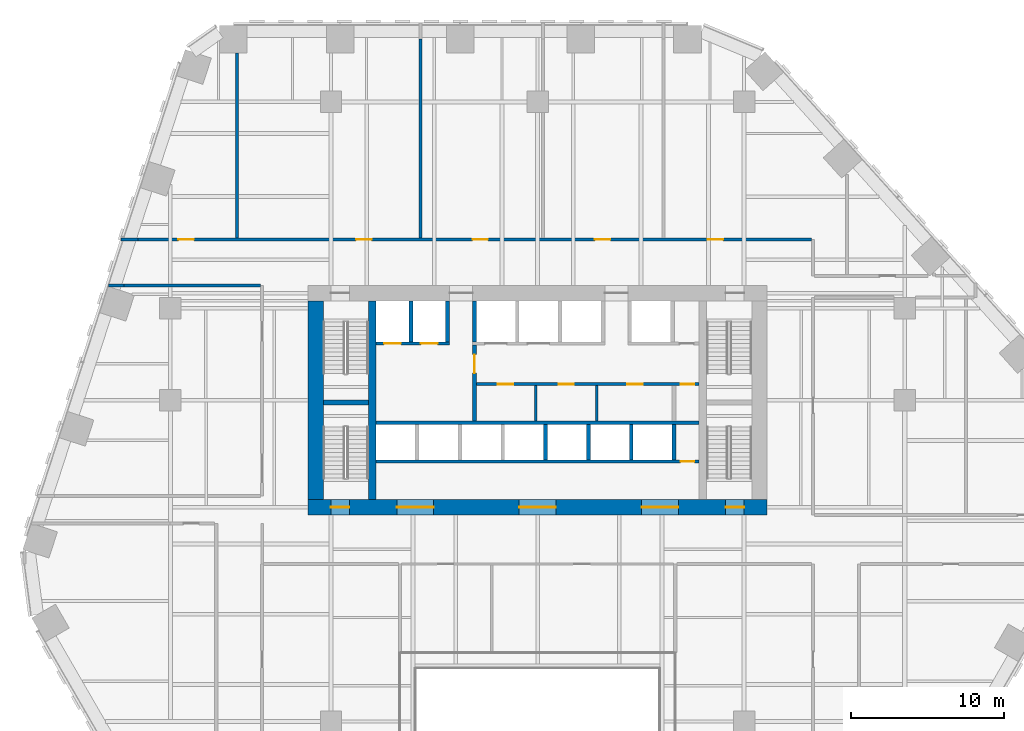
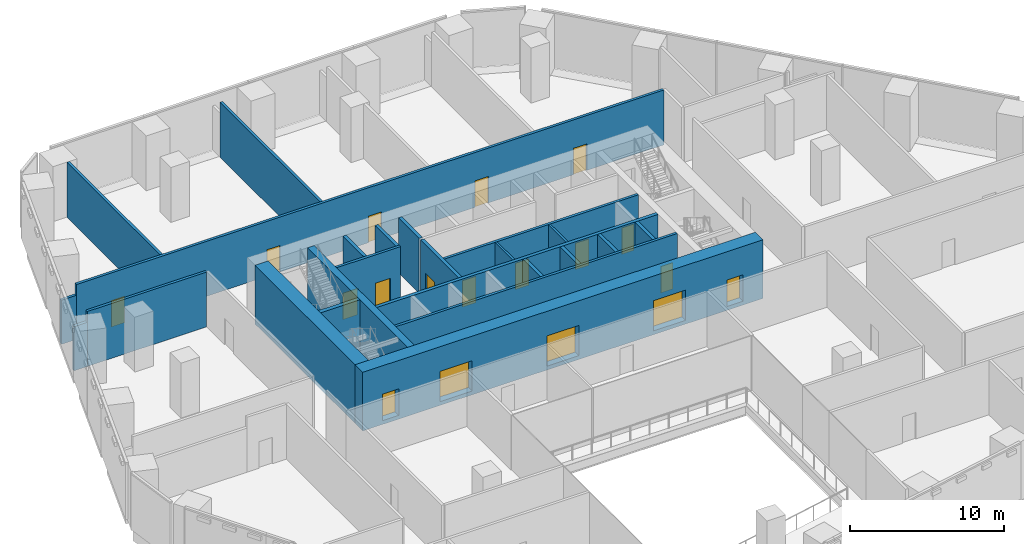
# One storey, part 15 of 19: 24 walls, 18 doors, 18 openings.
"""IFC4 building model written with IfcOpenShell, lengths in metres."""

import ifcopenshell
import ifcopenshell.guid

model = None  # the IFC model being written
_history = None  # IfcOwnerHistory: only IFC2X3 demands one
_inside = {}  # id of a spatial element -> (the spatial element, [elements in it])
_under = {}  # id of a project, library or spatial element -> (it, [spatial elements below it])
_declared = {}  # id of a project -> (the project, [libraries it declares])
_typed = {}  # id of a type object -> (the type object, [elements of that type])
_made_of = {}  # id of a material, layer set ... -> (it, [elements and type objects made of it])


def new_model(schema):
    """Start an empty IFC model of exactly this schema.

    Asked for "IFC4X3", IfcOpenShell would pick the latest addendum, in which some entities
    have other attributes; the version numbers below select the first issue.
    IFC2X3 requires an IfcOwnerHistory on every rooted entity: one is made here for all.
    """
    global model, _history
    if schema == "IFC4X3":
        model = ifcopenshell.file(schema_version=(4, 3, 0, 0))
    else:
        model = ifcopenshell.file(schema=schema)
    _inside.clear()
    _under.clear()
    _declared.clear()
    _typed.clear()
    _made_of.clear()
    _history = None
    if model.schema == "IFC2X3":
        org = make("IfcOrganization", Name="unknown")
        user = make(
            "IfcPersonAndOrganization",
            ThePerson=make("IfcPerson", FamilyName="unknown"),
            TheOrganization=org,
        )
        app = make(
            "IfcApplication",
            ApplicationDeveloper=org,
            Version="unknown",
            ApplicationFullName="unknown",
            ApplicationIdentifier="unknown",
        )
        _history = make(
            "IfcOwnerHistory",
            OwningUser=user,
            OwningApplication=app,
            ChangeAction="ADDED",
            CreationDate=0,
        )
    return model


def make(cls, **values):
    """One entity of the class cls with the attributes given. An attribute that is None is left unset."""
    return model.create_entity(
        cls, **{name: value for name, value in values.items() if value is not None}
    )


def rooted(cls, **values):
    """An entity with a GlobalId (a new one), such as an element, a storey or a relation."""
    return make(cls, GlobalId=ifcopenshell.guid.new(), OwnerHistory=_history, **values)


def si_unit(unit_type, name, prefix=None):
    """IfcSIUnit, for example si_unit("LENGTHUNIT", "METRE", prefix="MILLI")."""
    return make("IfcSIUnit", UnitType=unit_type, Prefix=prefix, Name=name)


def assignment(units):
    """IfcUnitAssignment: the units of a project."""
    return None if units is None else make("IfcUnitAssignment", Units=units)


def point(xyz):
    """IfcCartesianPoint."""
    return None if xyz is None else make("IfcCartesianPoint", Coordinates=xyz)


def direction(xyz):
    """IfcDirection."""
    return None if xyz is None else make("IfcDirection", DirectionRatios=xyz)


def frame(location, z_axis=None, x_axis=None):
    """IfcAxis2Placement3D, a coordinate frame: its origin and axes. An axis left out is left unset."""
    return make(
        "IfcAxis2Placement3D",
        Location=point(location),
        Axis=direction(z_axis),
        RefDirection=direction(x_axis),
    )


def frame_2d(location, x_axis=None):
    """IfcAxis2Placement2D, a coordinate frame in the plane: its origin and x axis."""
    return make(
        "IfcAxis2Placement2D", Location=point(location), RefDirection=direction(x_axis)
    )


def origin():
    """The frame at (0, 0, 0) with its axes left unset."""
    return frame((0.0, 0.0, 0.0))


def place(relative_to, where):
    """IfcLocalPlacement: puts the frame where relative to a parent placement (None: the world)."""
    return make(
        "IfcLocalPlacement", PlacementRelTo=relative_to, RelativePlacement=where
    )


def context(
    kind, dimensions, precision=None, world=None, true_north=None, identifier=None
):
    """IfcGeometricRepresentationContext, for example the 3D "Model" context."""
    return make(
        "IfcGeometricRepresentationContext",
        ContextIdentifier=identifier,
        ContextType=kind,
        CoordinateSpaceDimension=dimensions,
        Precision=precision,
        WorldCoordinateSystem=world,
        TrueNorth=true_north,
    )


def subcontext(parent, identifier, kind, view, scale=None):
    """IfcGeometricRepresentationSubContext, for example "Body" below "Model"."""
    return make(
        "IfcGeometricRepresentationSubContext",
        ContextIdentifier=identifier,
        ContextType=kind,
        ParentContext=parent,
        TargetScale=scale,
        TargetView=view,
    )


def project(units=None, contexts=None):
    """IfcProject with its units and contexts."""
    return rooted(
        "IfcProject",
        Name="project",
        RepresentationContexts=contexts,
        UnitsInContext=assignment(units),
    )


def spatial(cls, under=None, at=None, **own):
    """A site, building, storey or space (cls), placed at a placement, below another one or the project."""
    s = rooted(cls, ObjectPlacement=at, **own)
    if under is not None:
        _under.setdefault(under.id(), (under, []))[1].append(s)
    return s


def profile(cls, at=None, kind="AREA", **sizes):
    """A parametric profile (cls). Its sizes go by their IFC names, for example OverallWidth=200.0."""
    return make(cls, ProfileType=kind, Position=at, **sizes)


def rectangle(**sizes):
    """IfcRectangleProfileDef."""
    return profile("IfcRectangleProfileDef", **sizes)


def extrude(swept, where, along, depth):
    """IfcExtrudedAreaSolid: the profile swept, set in the frame where, extruded along a direction by depth."""
    return make(
        "IfcExtrudedAreaSolid",
        SweptArea=swept,
        Position=where,
        ExtrudedDirection=direction(along),
        Depth=depth,
    )


def shape(context_of_items, identifier, shape_type, items):
    """IfcShapeRepresentation: the items that make up one representation, for example the "Body"."""
    return make(
        "IfcShapeRepresentation",
        ContextOfItems=context_of_items,
        RepresentationIdentifier=identifier,
        RepresentationType=shape_type,
        Items=items,
    )


def material(Name=None, Category=None):
    """IfcMaterial."""
    return make("IfcMaterial", Name=Name, Category=Category)


def layer(
    of_material, thickness, ventilated=None, Name=None, Category=None, Priority=None
):
    """IfcMaterialLayer: one layer of a wall or slab, of a material (None: an air gap)."""
    return make(
        "IfcMaterialLayer",
        Material=of_material,
        LayerThickness=thickness,
        IsVentilated=ventilated,
        Name=Name,
        Category=Category,
        Priority=Priority,
    )


def layer_set(layers, Name=None):
    """IfcMaterialLayerSet."""
    return make("IfcMaterialLayerSet", MaterialLayers=layers, LayerSetName=Name)


def made_of(thing, what):
    """Note that an element or type object is made of a material, layer set ...; save() writes the relation."""
    if what is not None:
        _made_of.setdefault(what.id(), (what, []))[1].append(thing)
    return thing


def type_object(cls, material=None, **own):
    """A type object (cls), such as IfcWallType, which elements share."""
    return made_of(rooted(cls, **own), material)


def element(
    cls,
    number,
    at=None,
    inside=None,
    cuts=None,
    type_object=None,
    material=None,
    context=None,
    identifier="Body",
    shape_type=None,
    held_by="IfcProductDefinitionShape",
    body=None,
    shapes=None,
    **own,
):
    """One element of the class cls, such as IfcWall. Its Tag is "e" and its number.

    at: its placement. inside: the storey or other place that contains it. cuts: it is an
    opening in that element (IfcRelVoidsElement). A single representation is given by context,
    identifier, shape_type and body (its items); several are given by shapes. held_by: the class
    of the entity that holds the representations. save() writes the other relations.
    """
    e = rooted(cls, Tag="e%d" % number, ObjectPlacement=at, **own)
    if body is not None:
        shapes = [shape(context, identifier, shape_type, body)]
    if shapes is not None:
        e.Representation = make(held_by, Representations=shapes)
    if inside is not None:
        _inside.setdefault(inside.id(), (inside, []))[1].append(e)
    if cuts is not None:
        rooted(
            "IfcRelVoidsElement", RelatingBuildingElement=cuts, RelatedOpeningElement=e
        )
    if type_object is not None:
        _typed.setdefault(type_object.id(), (type_object, []))[1].append(e)
    return made_of(e, material)


def fill(opening, filler):
    """IfcRelFillsElement: the door or window that sits in an opening."""
    return rooted(
        "IfcRelFillsElement",
        RelatingOpeningElement=opening,
        RelatedBuildingElement=filler,
    )


def aggregate(whole, parts):
    """IfcRelAggregates: a whole, such as a stair, and the parts it consists of."""
    return rooted("IfcRelAggregates", RelatingObject=whole, RelatedObjects=parts)


def save(model, path):
    """Write the relations noted so far, then the file.

    IfcRelAggregates (storeys below a building ...), IfcRelContainedInSpatialStructure (elements
    in a storey), IfcRelDefinesByType, IfcRelAssociatesMaterial and IfcRelDeclares: one each for
    every whole, place, type object, material and project.
    """
    for whole, parts in _under.values():
        aggregate(whole, parts)
    for where, things in _inside.values():
        rooted(
            "IfcRelContainedInSpatialStructure",
            RelatedElements=things,
            RelatingStructure=where,
        )
    for kind, things in _typed.values():
        rooted("IfcRelDefinesByType", RelatedObjects=things, RelatingType=kind)
    for what, things in _made_of.values():
        rooted("IfcRelAssociatesMaterial", RelatedObjects=things, RelatingMaterial=what)
    for by, libraries in _declared.values():
        rooted("IfcRelDeclares", RelatingContext=by, RelatedDefinitions=libraries)
    model.write(path)


model = new_model("IFC4")

# Units and contexts
model_context = context("Model", 3, precision=1e-05, world=origin(), true_north=direction((0.0, 1.0)))
body_context = subcontext(model_context, "Body", "Model", "MODEL_VIEW")
ifc_project = project(units=[si_unit("LENGTHUNIT", "METRE"), si_unit("AREAUNIT", "SQUARE_METRE"), si_unit("VOLUMEUNIT", "CUBIC_METRE"), si_unit("PLANEANGLEUNIT", "RADIAN"), si_unit("MASSUNIT", "GRAM", prefix="KILO")], contexts=[model_context])

# Site, building, storey
site_placement = place(None, origin())
site = spatial("IfcSite", under=ifc_project, at=site_placement, CompositionType="ELEMENT")
building_placement = place(site_placement, origin())
building = spatial("IfcBuilding", under=site, at=building_placement, Name="Isthmus Gate Tower", CompositionType="ELEMENT")
storey_placement = place(building_placement, frame((0.0, 0.0, 76.14990234375)))
storey = spatial("IfcBuildingStorey", under=building, at=storey_placement, Name="L17", CompositionType="ELEMENT", Elevation=76.14990234375)

# Wall, opening, door
ifc_material_1 = material(Name="Fire-rated blockwork masonry, 15 MPa", Category="masonry")
ifc_layer_1 = layer(ifc_material_1, 0.25)
ifc_layer_set_1 = layer_set([ifc_layer_1], Name="FIRE-FIGHTING LOBBY WALL 250 90 MIN")
wall_type_1 = type_object("IfcWallType", Name="FIRE-FIGHTING LOBBY WALL 250 90 MIN", PredefinedType="PARTITIONING", material=ifc_layer_set_1)
wall_1_placement = place(storey_placement, frame((-4.125, 6.14990234375, 0.0), z_axis=(0.0, 0.0, 1.0), x_axis=(0.0, 1.0, 0.0)))
wall_1 = element("IfcWall", 1, at=wall_1_placement, inside=storey, type_object=wall_type_1, Name="L17 FIRE-FIGHTING LOBBY WALL 250 90 MIN", PredefinedType="PARTITIONING", context=body_context, shape_type="SweptSolid", body=[
    extrude(rectangle(XDim=4.9501953125, YDim=0.25, at=frame_2d((2.47509765625, 0.0))), origin(), (0.0, 0.0, 1.0), 4.35009765625),
])
opening_1_placement = place(wall_1_placement, frame((3.125, 0.0, 0.0)))
opening_1 = element("IfcOpeningElement", 2, at=opening_1_placement, cuts=wall_1, Name="Opening DC-A06-01", PredefinedType="OPENING", context=body_context, shape_type="SweptSolid", body=[
    extrude(rectangle(XDim=1.199951171875, YDim=2.10009765625, at=frame_2d((0.60009765625, 1.050048828125))), frame((0.0, 0.135009765625, 0.0), z_axis=(0.0, -1.0, 0.0), x_axis=(1.0, 0.0, 0.0)), (0.0, 0.0, 1.0), 0.27001953125),
])
ifc_material_2 = material(Name="Steel door leaf, fire-rated", Category="steel")
door_type_1 = type_object("IfcDoorType", Name="LOBBY FIRE DOOR 1200 X 2100 90 MIN", OperationType="DOUBLE_DOOR_SINGLE_SWING", PredefinedType="DOOR", material=ifc_material_2)
door_1_placement = place(opening_1_placement, origin())
door_1 = element("IfcDoor", 3, at=door_1_placement, inside=storey, type_object=door_type_1, Name="Fire-fighting Lobby Door", OperationType="SINGLE_SWING_LEFT", OverallHeight=2.10009765625, OverallWidth=1.199951171875, PredefinedType="DOOR", context=body_context, shape_type="SweptSolid", body=[
    extrude(rectangle(XDim=1.199951171875, YDim=2.10009765625, at=frame_2d((0.60009765625, 1.050048828125))), frame((0.0, 0.02490234375, 0.0), z_axis=(0.0, -1.0, 0.0), x_axis=(1.0, 0.0, 0.0)), (0.0, 0.0, 1.0), 0.050048828125),
])
fill(opening_1, door_1)

# Walls
ifc_material_3 = material(Name="Concrete f'c 30 MPa", Category="concrete")
ifc_layer_2 = layer(ifc_material_3, 0.199951171875)
ifc_layer_set_2 = layer_set([ifc_layer_2], Name="Fire-rated block wall 200")
wall_type_2 = type_object("IfcWallType", Name="Fire-rated block wall 200", PredefinedType="PARTITIONING", material=ifc_layer_set_2)
wall_2_placement = place(storey_placement, frame((-28.03759765625, 15.0, 0.0), z_axis=(0.0, 0.0, 1.0), x_axis=(1.0, 0.0, 0.0)))
element("IfcWall", 4, at=wall_2_placement, inside=storey, type_object=wall_type_2, Name="Fire-rated wall", PredefinedType="PARTITIONING", context=body_context, shape_type="SweptSolid", body=[
    extrude(rectangle(XDim=1.0, YDim=0.199951171875, at=frame_2d((0.5, 0.0))), origin(), (0.0, 0.0, 1.0), 3.5),
])
wall_3_placement = place(storey_placement, frame((-27.03759765625, 15.0, 0.0), z_axis=(0.0, 0.0, 1.0), x_axis=(1.0, 0.0, 0.0)))
element("IfcWall", 5, at=wall_3_placement, inside=storey, type_object=wall_type_2, Name="Fire-rated wall", PredefinedType="PARTITIONING", context=body_context, shape_type="SweptSolid", body=[
    extrude(rectangle(XDim=8.9375, YDim=0.199951171875, at=frame_2d((4.46875, 0.0))), origin(), (0.0, 0.0, 1.0), 4.35009765625),
])
wall_4_placement = place(storey_placement, frame((-27.23291015625, 18.0, 0.0), z_axis=(0.0, 0.0, 1.0), x_axis=(1.0, 0.0, 0.0)))
element("IfcWall", 6, at=wall_4_placement, inside=storey, type_object=wall_type_2, Name="Fire-rated wall", PredefinedType="PARTITIONING", context=body_context, shape_type="SweptSolid", body=[
    extrude(rectangle(XDim=1.1162109375, YDim=0.199951171875, at=frame_2d((0.55810546875, 0.0))), origin(), (0.0, 0.0, 1.0), 3.5),
])

# Wall, openings, doors
wall_5_placement = place(storey_placement, frame((-26.11669921875, 18.0, 0.0), z_axis=(0.0, 0.0, 1.0), x_axis=(1.0, 0.0, 0.0)))
wall_5 = element("IfcWall", 7, at=wall_5_placement, inside=storey, type_object=wall_type_2, Name="Fire-rated wall", PredefinedType="PARTITIONING", context=body_context, shape_type="SweptSolid", body=[
    extrude(rectangle(XDim=44.0166015625, YDim=0.199951171875, at=frame_2d((22.00830078125, 0.0))), origin(), (0.0, 0.0, 1.0), 4.35009765625),
])
opening_2_placement = place(wall_5_placement, frame((2.64990234375, 0.0, 0.0)))
opening_2 = element("IfcOpeningElement", 8, at=opening_2_placement, cuts=wall_5, Name="Opening DP17-03", PredefinedType="OPENING", context=body_context, shape_type="SweptSolid", body=[
    extrude(rectangle(XDim=1.0, YDim=2.10009765625, at=frame_2d((0.5, 1.050048828125))), frame((0.0, 0.10986328125, 0.0), z_axis=(0.0, -1.0, 0.0), x_axis=(1.0, 0.0, 0.0)), (0.0, 0.0, 1.0), 0.219970703125),
])
opening_3_placement = place(wall_5_placement, frame((14.2666015625, 0.0, 0.0)))
opening_3 = element("IfcOpeningElement", 9, at=opening_3_placement, cuts=wall_5, Name="Opening DP17-04", PredefinedType="OPENING", context=body_context, shape_type="SweptSolid", body=[
    extrude(rectangle(XDim=1.0, YDim=2.10009765625, at=frame_2d((0.5, 1.050048828125))), frame((0.0, 0.10986328125, 0.0), z_axis=(0.0, -1.0, 0.0), x_axis=(1.0, 0.0, 0.0)), (0.0, 0.0, 1.0), 0.219970703125),
])
opening_4_placement = place(wall_5_placement, frame((21.87060546875, 0.0, 0.0)))
opening_4 = element("IfcOpeningElement", 10, at=opening_4_placement, cuts=wall_5, Name="Opening DP17-05", PredefinedType="OPENING", context=body_context, shape_type="SweptSolid", body=[
    extrude(rectangle(XDim=1.0, YDim=2.10009765625, at=frame_2d((0.5, 1.050048828125))), frame((0.0, 0.10986328125, 0.0), z_axis=(0.0, -1.0, 0.0), x_axis=(1.0, 0.0, 0.0)), (0.0, 0.0, 1.0), 0.219970703125),
])
opening_5_placement = place(wall_5_placement, frame((29.87060546875, 0.0, 0.0)))
opening_5 = element("IfcOpeningElement", 11, at=opening_5_placement, cuts=wall_5, Name="Opening DP17-06", PredefinedType="OPENING", context=body_context, shape_type="SweptSolid", body=[
    extrude(rectangle(XDim=1.0, YDim=2.10009765625, at=frame_2d((0.5, 1.050048828125))), frame((0.0, 0.10986328125, 0.0), z_axis=(0.0, -1.0, 0.0), x_axis=(1.0, 0.0, 0.0)), (0.0, 0.0, 1.0), 0.219970703125),
])
opening_6_placement = place(wall_5_placement, frame((37.244140625, 0.0, 0.0)))
opening_6 = element("IfcOpeningElement", 12, at=opening_6_placement, cuts=wall_5, Name="Opening DP17-07", PredefinedType="OPENING", context=body_context, shape_type="SweptSolid", body=[
    extrude(rectangle(XDim=1.0, YDim=2.10009765625, at=frame_2d((0.5, 1.050048828125))), frame((0.0, 0.10986328125, 0.0), z_axis=(0.0, -1.0, 0.0), x_axis=(1.0, 0.0, 0.0)), (0.0, 0.0, 1.0), 0.219970703125),
])
ifc_material_4 = material(Name="Steel fire door with intumescent seals", Category="steel")
door_type_2 = type_object("IfcDoorType", Name="Fire door 1000 x 2100", OperationType="SINGLE_SWING_LEFT", PredefinedType="DOOR", material=ifc_material_4)
door_2_placement = place(opening_2_placement, origin())
door_2 = element("IfcDoor", 13, at=door_2_placement, inside=storey, type_object=door_type_2, Name="Door DP17-03", OperationType="SINGLE_SWING_LEFT", OverallHeight=2.10009765625, OverallWidth=1.0, PredefinedType="DOOR", context=body_context, shape_type="SweptSolid", body=[
    extrude(rectangle(XDim=1.0, YDim=2.10009765625, at=frame_2d((0.5, 1.050048828125))), frame((0.0, 0.02490234375, 0.0), z_axis=(0.0, -1.0, 0.0), x_axis=(1.0, 0.0, 0.0)), (0.0, 0.0, 1.0), 0.050048828125),
])
fill(opening_2, door_2)
door_3_placement = place(opening_3_placement, origin())
door_3 = element("IfcDoor", 14, at=door_3_placement, inside=storey, type_object=door_type_2, Name="Door DP17-04", OperationType="SINGLE_SWING_LEFT", OverallHeight=2.10009765625, OverallWidth=1.0, PredefinedType="DOOR", context=body_context, shape_type="SweptSolid", body=[
    extrude(rectangle(XDim=1.0, YDim=2.10009765625, at=frame_2d((0.5, 1.050048828125))), frame((0.0, 0.02490234375, 0.0), z_axis=(0.0, -1.0, 0.0), x_axis=(1.0, 0.0, 0.0)), (0.0, 0.0, 1.0), 0.050048828125),
])
fill(opening_3, door_3)
door_4_placement = place(opening_4_placement, origin())
door_4 = element("IfcDoor", 15, at=door_4_placement, inside=storey, type_object=door_type_2, Name="Door DP17-05", OperationType="SINGLE_SWING_LEFT", OverallHeight=2.10009765625, OverallWidth=1.0, PredefinedType="DOOR", context=body_context, shape_type="SweptSolid", body=[
    extrude(rectangle(XDim=1.0, YDim=2.10009765625, at=frame_2d((0.5, 1.050048828125))), frame((0.0, 0.02490234375, 0.0), z_axis=(0.0, -1.0, 0.0), x_axis=(1.0, 0.0, 0.0)), (0.0, 0.0, 1.0), 0.050048828125),
])
fill(opening_4, door_4)
door_5_placement = place(opening_5_placement, origin())
door_5 = element("IfcDoor", 16, at=door_5_placement, inside=storey, type_object=door_type_2, Name="Door DP17-06", OperationType="SINGLE_SWING_LEFT", OverallHeight=2.10009765625, OverallWidth=1.0, PredefinedType="DOOR", context=body_context, shape_type="SweptSolid", body=[
    extrude(rectangle(XDim=1.0, YDim=2.10009765625, at=frame_2d((0.5, 1.050048828125))), frame((0.0, 0.02490234375, 0.0), z_axis=(0.0, -1.0, 0.0), x_axis=(1.0, 0.0, 0.0)), (0.0, 0.0, 1.0), 0.050048828125),
])
fill(opening_5, door_5)
door_6_placement = place(opening_6_placement, origin())
door_6 = element("IfcDoor", 17, at=door_6_placement, inside=storey, type_object=door_type_2, Name="Door DP17-07", OperationType="SINGLE_SWING_LEFT", OverallHeight=2.10009765625, OverallWidth=1.0, PredefinedType="DOOR", context=body_context, shape_type="SweptSolid", body=[
    extrude(rectangle(XDim=1.0, YDim=2.10009765625, at=frame_2d((0.5, 1.050048828125))), frame((0.0, 0.02490234375, 0.0), z_axis=(0.0, -1.0, 0.0), x_axis=(1.0, 0.0, 0.0)), (0.0, 0.0, 1.0), 0.050048828125),
])
fill(opening_6, door_6)

# Walls
wall_6_placement = place(storey_placement, frame((-19.64599609375, 18.10009765625, 0.0), z_axis=(0.0, 0.0, 1.0), x_axis=(0.0, 1.0, 0.0)))
element("IfcWall", 18, at=wall_6_placement, inside=storey, type_object=wall_type_2, Name="Fire-rated wall", PredefinedType="PARTITIONING", context=body_context, shape_type="SweptSolid", body=[
    extrude(rectangle(XDim=12.099853515625, YDim=0.199951171875, at=frame_2d((6.0498046875, 0.0))), origin(), (0.0, 0.0, 1.0), 4.35009765625),
])
wall_7_placement = place(storey_placement, frame((-7.64599609375, 18.10009765625, 0.0), z_axis=(0.0, 0.0, 1.0), x_axis=(0.0, 1.0, 0.0)))
element("IfcWall", 19, at=wall_7_placement, inside=storey, type_object=wall_type_2, Name="Fire-rated wall", PredefinedType="PARTITIONING", context=body_context, shape_type="SweptSolid", body=[
    extrude(rectangle(XDim=13.0, YDim=0.199951171875, at=frame_2d((6.5, 0.0))), origin(), (0.0, 0.0, 1.0), 4.35009765625),
])
ifc_material_5 = material(Name="Concrete f'c 70 MPa", Category="concrete")
ifc_layer_3 = layer(ifc_material_5, 0.5)
ifc_layer_set_3 = layer_set([ifc_layer_3], Name="RC CORE SPINE WALL 500 F'C 70")
wall_type_3 = type_object("IfcWallType", Name="RC CORE SPINE WALL 500 F'C 70", PredefinedType="SOLIDWALL", material=ifc_layer_set_3)
wall_8_placement = place(storey_placement, frame((-10.800048828125, 1.0, -0.2998046875), z_axis=(0.0, 0.0, 1.0), x_axis=(0.0, 1.0, 0.0)))
element("IfcWall", 20, at=wall_8_placement, inside=storey, type_object=wall_type_3, Name="str-corewall-L17-SPW", PredefinedType="SOLIDWALL", context=body_context, shape_type="SweptSolid", body=[
    extrude(rectangle(XDim=13.0, YDim=0.5, at=frame_2d((6.5, 0.0))), origin(), (0.0, 0.0, 1.0), 4.64990234375),
])

# Wall, openings, doors
ifc_material_6 = material(Name="Concrete f'c 70 MPa", Category="concrete")
ifc_layer_4 = layer(ifc_material_6, 1.0)
ifc_layer_set_4 = layer_set([ifc_layer_4], Name="RC CORE WALL 1000 F'C 70")
wall_type_4 = type_object("IfcWallType", Name="RC CORE WALL 1000 F'C 70", PredefinedType="SOLIDWALL", material=ifc_layer_set_4)
wall_9_placement = place(storey_placement, frame((-15.0, 0.5, -0.2998046875), z_axis=(0.0, 0.0, 1.0), x_axis=(1.0, 0.0, 0.0)))
wall_9 = element("IfcWall", 21, at=wall_9_placement, inside=storey, type_object=wall_type_4, Name="str-corewall-L17-S", PredefinedType="SOLIDWALL", context=body_context, shape_type="SweptSolid", body=[
    extrude(rectangle(XDim=30.0, YDim=1.0, at=frame_2d((15.0, 0.0))), origin(), (0.0, 0.0, 1.0), 4.64990234375),
])
opening_7_placement = place(wall_9_placement, frame((5.800048828125, 0.0, 0.300048828125)))
opening_7 = element("IfcOpeningElement", 22, at=opening_7_placement, cuts=wall_9, Name="Opening DC-A06-08", PredefinedType="OPENING", context=body_context, shape_type="SweptSolid", body=[
    extrude(rectangle(XDim=2.39990234375, YDim=2.39990234375, at=frame_2d((1.199951171875, 1.199951171875))), frame((0.0, 0.510009765625, 0.0), z_axis=(0.0, -1.0, 0.0), x_axis=(1.0, 0.0, 0.0)), (0.0, 0.0, 1.0), 1.02001953125),
])
opening_8_placement = place(wall_9_placement, frame((13.800048828125, 0.0, 0.300048828125)))
opening_8 = element("IfcOpeningElement", 23, at=opening_8_placement, cuts=wall_9, Name="Opening DC-A06-09", PredefinedType="OPENING", context=body_context, shape_type="SweptSolid", body=[
    extrude(rectangle(XDim=2.39990234375, YDim=2.39990234375, at=frame_2d((1.199951171875, 1.199951171875))), frame((0.0, 0.510009765625, 0.0), z_axis=(0.0, -1.0, 0.0), x_axis=(1.0, 0.0, 0.0)), (0.0, 0.0, 1.0), 1.02001953125),
])
opening_9_placement = place(wall_9_placement, frame((21.800048828125, 0.0, 0.300048828125)))
opening_9 = element("IfcOpeningElement", 24, at=opening_9_placement, cuts=wall_9, Name="Opening DC-A06-10", PredefinedType="OPENING", context=body_context, shape_type="SweptSolid", body=[
    extrude(rectangle(XDim=2.39990234375, YDim=2.39990234375, at=frame_2d((1.199951171875, 1.199951171875))), frame((0.0, 0.510009765625, 0.0), z_axis=(0.0, -1.0, 0.0), x_axis=(1.0, 0.0, 0.0)), (0.0, 0.0, 1.0), 1.02001953125),
])
opening_10_placement = place(wall_9_placement, frame((1.5, 0.0, 0.300048828125)))
opening_10 = element("IfcOpeningElement", 25, at=opening_10_placement, cuts=wall_9, Name="Opening DC-A06-15", PredefinedType="OPENING", context=body_context, shape_type="SweptSolid", body=[
    extrude(rectangle(XDim=1.199951171875, YDim=2.10009765625, at=frame_2d((0.60009765625, 1.050048828125))), frame((0.0, 0.510009765625, 0.0), z_axis=(0.0, -1.0, 0.0), x_axis=(1.0, 0.0, 0.0)), (0.0, 0.0, 1.0), 1.02001953125),
])
opening_11_placement = place(wall_9_placement, frame((27.300048828125, 0.0, 0.300048828125)))
opening_11 = element("IfcOpeningElement", 26, at=opening_11_placement, cuts=wall_9, Name="Opening DC-A06-16", PredefinedType="OPENING", context=body_context, shape_type="SweptSolid", body=[
    extrude(rectangle(XDim=1.199951171875, YDim=2.10009765625, at=frame_2d((0.60009765625, 1.050048828125))), frame((0.0, 0.510009765625, 0.0), z_axis=(0.0, -1.0, 0.0), x_axis=(1.0, 0.0, 0.0)), (0.0, 0.0, 1.0), 1.02001953125),
])
ifc_material_7 = material(Name="Laminated safety glass in steel frame, fire-rated", Category="steel")
door_type_3 = type_object("IfcDoorType", Name="LOBBY ENTRANCE FIRE DOOR 2400 X 2400 60 MIN", OperationType="DOUBLE_DOOR_DOUBLE_SWING", PredefinedType="DOOR", material=ifc_material_7)
door_7_placement = place(opening_7_placement, origin())
door_7 = element("IfcDoor", 27, at=door_7_placement, inside=storey, type_object=door_type_3, Name="Lobby Entrance PS-W", OperationType="DOUBLE_DOOR_DOUBLE_SWING", OverallHeight=2.39990234375, OverallWidth=2.39990234375, PredefinedType="DOOR", context=body_context, shape_type="SweptSolid", body=[
    extrude(rectangle(XDim=2.39990234375, YDim=2.39990234375, at=frame_2d((1.199951171875, 1.199951171875))), frame((0.0, 0.02490234375, 0.0), z_axis=(0.0, -1.0, 0.0), x_axis=(1.0, 0.0, 0.0)), (0.0, 0.0, 1.0), 0.050048828125),
])
fill(opening_7, door_7)
door_8_placement = place(opening_8_placement, origin())
door_8 = element("IfcDoor", 28, at=door_8_placement, inside=storey, type_object=door_type_3, Name="Lobby Entrance PS-C", OperationType="DOUBLE_DOOR_DOUBLE_SWING", OverallHeight=2.39990234375, OverallWidth=2.39990234375, PredefinedType="DOOR", context=body_context, shape_type="SweptSolid", body=[
    extrude(rectangle(XDim=2.39990234375, YDim=2.39990234375, at=frame_2d((1.199951171875, 1.199951171875))), frame((0.0, 0.02490234375, 0.0), z_axis=(0.0, -1.0, 0.0), x_axis=(1.0, 0.0, 0.0)), (0.0, 0.0, 1.0), 0.050048828125),
])
fill(opening_8, door_8)
door_9_placement = place(opening_9_placement, origin())
door_9 = element("IfcDoor", 29, at=door_9_placement, inside=storey, type_object=door_type_3, Name="Lobby Entrance PS-E", OperationType="DOUBLE_DOOR_DOUBLE_SWING", OverallHeight=2.39990234375, OverallWidth=2.39990234375, PredefinedType="DOOR", context=body_context, shape_type="SweptSolid", body=[
    extrude(rectangle(XDim=2.39990234375, YDim=2.39990234375, at=frame_2d((1.199951171875, 1.199951171875))), frame((0.0, 0.02490234375, 0.0), z_axis=(0.0, -1.0, 0.0), x_axis=(1.0, 0.0, 0.0)), (0.0, 0.0, 1.0), 0.050048828125),
])
fill(opening_9, door_9)
ifc_material_8 = material(Name="Steel door leaf, fire-rated", Category="steel")
door_type_4 = type_object("IfcDoorType", Name="STAIR FIRE DOOR 1200 X 2100 90 MIN", OperationType="SINGLE_SWING_LEFT", PredefinedType="DOOR", material=ifc_material_8)
door_10_placement = place(opening_10_placement, origin())
door_10 = element("IfcDoor", 30, at=door_10_placement, inside=storey, type_object=door_type_4, Name="Exit Stair 7 Door", OperationType="SINGLE_SWING_LEFT", OverallHeight=2.10009765625, OverallWidth=1.199951171875, PredefinedType="DOOR", context=body_context, shape_type="SweptSolid", body=[
    extrude(rectangle(XDim=1.199951171875, YDim=2.10009765625, at=frame_2d((0.60009765625, 1.050048828125))), frame((0.0, 0.02490234375, 0.0), z_axis=(0.0, -1.0, 0.0), x_axis=(1.0, 0.0, 0.0)), (0.0, 0.0, 1.0), 0.050048828125),
])
fill(opening_10, door_10)
door_11_placement = place(opening_11_placement, origin())
door_11 = element("IfcDoor", 31, at=door_11_placement, inside=storey, type_object=door_type_4, Name="Exit Stair 8 Door", OperationType="SINGLE_SWING_RIGHT", OverallHeight=2.10009765625, OverallWidth=1.199951171875, PredefinedType="DOOR", context=body_context, shape_type="SweptSolid", body=[
    extrude(rectangle(XDim=1.199951171875, YDim=2.10009765625, at=frame_2d((0.60009765625, 1.050048828125))), frame((0.0, 0.02490234375, 0.0), z_axis=(0.0, -1.0, 0.0), x_axis=(1.0, 0.0, 0.0)), (0.0, 0.0, 1.0), 0.050048828125),
])
fill(opening_11, door_11)

# Walls
wall_10_placement = place(storey_placement, frame((-14.5, 1.0, -0.2998046875), z_axis=(0.0, 0.0, 1.0), x_axis=(0.0, 1.0, 0.0)))
element("IfcWall", 32, at=wall_10_placement, inside=storey, type_object=wall_type_4, Name="str-corewall-L17-W", PredefinedType="SOLIDWALL", context=body_context, shape_type="SweptSolid", body=[
    extrude(rectangle(XDim=13.0, YDim=1.0, at=frame_2d((6.5, 0.0))), origin(), (0.0, 0.0, 1.0), 4.64990234375),
])
ifc_material_9 = material(Name="Gypsum board on steel studs, fire-rated", Category="steel")
ifc_layer_5 = layer(ifc_material_9, 0.14990234375)
ifc_layer_set_5 = layer_set([ifc_layer_5], Name="ROOM PARTITION 150 60 MIN")
wall_type_5 = type_object("IfcWallType", Name="ROOM PARTITION 150 60 MIN", PredefinedType="PARTITIONING", material=ifc_layer_set_5)
for number, where, z_axis, x_axis, name in (
    (33, (-0.125, 6.14990234375, 0.0), (0.0, 0.0, 1.0), (0.0, 1.0, 0.0), "L17 ROOM PARTITION 150 60 MIN"),
    (34, (3.875, 6.14990234375, 0.0), (0.0, 0.0, 1.0), (0.0, 1.0, 0.0), "L17 ROOM PARTITION 150 60 MIN"),
):
    element("IfcWall", number, at=place(storey_placement, frame(where, z_axis=z_axis, x_axis=x_axis)), inside=storey, type_object=wall_type_5, Name=name, PredefinedType="PARTITIONING", context=body_context, shape_type="SweptSolid", body=[
        extrude(rectangle(XDim=2.300048828125, YDim=0.14990234375, at=frame_2d((1.14990234375, 0.0))), origin(), (0.0, 0.0, 1.0), 4.35009765625),
    ])

# Wall, opening, door
ifc_material_10 = material(Name="Fire-rated blockwork masonry, 15 MPa", Category="masonry")
ifc_layer_6 = layer(ifc_material_10, 0.199951171875)
ifc_layer_set_6 = layer_set([ifc_layer_6], Name="SHAFT FRONT WALL 200 120 MIN")
wall_type_6 = type_object("IfcWallType", Name="SHAFT FRONT WALL 200 120 MIN", PredefinedType="PARTITIONING", material=ifc_layer_set_6)
wall_11_placement = place(storey_placement, frame((-10.550048828125, 3.5, 0.0), z_axis=(0.0, 0.0, 1.0), x_axis=(1.0, 0.0, 0.0)))
wall_11 = element("IfcWall", 35, at=wall_11_placement, inside=storey, type_object=wall_type_6, Name="L17 SHAFT FRONT WALL 200 120 MIN", PredefinedType="PARTITIONING", context=body_context, shape_type="SweptSolid", body=[
    extrude(rectangle(XDim=21.10009765625, YDim=0.199951171875, at=frame_2d((10.550048828125, 0.0))), origin(), (0.0, 0.0, 1.0), 4.35009765625),
])
opening_12_placement = place(wall_11_placement, frame((19.89990234375, 0.0, 0.0)))
opening_12 = element("IfcOpeningElement", 36, at=opening_12_placement, cuts=wall_11, Name="Opening DC-A06-02", PredefinedType="OPENING", context=body_context, shape_type="SweptSolid", body=[
    extrude(rectangle(XDim=0.89990234375, YDim=2.10009765625, at=frame_2d((0.449951171875, 1.050048828125))), frame((0.0, 0.10986328125, 0.0), z_axis=(0.0, -1.0, 0.0), x_axis=(1.0, 0.0, 0.0)), (0.0, 0.0, 1.0), 0.219970703125),
])
ifc_material_11 = material(Name="Steel door leaf, fire-rated", Category="steel")
door_type_5 = type_object("IfcDoorType", Name="RISER FIRE DOOR 900 X 2100 90 MIN", OperationType="SINGLE_SWING_LEFT", PredefinedType="DOOR", material=ifc_material_11)
door_12_placement = place(opening_12_placement, origin())
door_12 = element("IfcDoor", 37, at=door_12_placement, inside=storey, type_object=door_type_5, Name="Riser Door", OperationType="SINGLE_SWING_RIGHT", OverallHeight=2.10009765625, OverallWidth=0.89990234375, PredefinedType="DOOR", context=body_context, shape_type="SweptSolid", body=[
    extrude(rectangle(XDim=0.89990234375, YDim=2.10009765625, at=frame_2d((0.449951171875, 1.050048828125))), frame((0.0, 0.02490234375, 0.0), z_axis=(0.0, -1.0, 0.0), x_axis=(1.0, 0.0, 0.0)), (0.0, 0.0, 1.0), 0.050048828125),
])
fill(opening_12, door_12)

# Wall, openings, doors
wall_12_placement = place(storey_placement, frame((-4.125, 8.550048828125, 0.0), z_axis=(0.0, 0.0, 1.0), x_axis=(1.0, 0.0, 0.0)))
wall_12 = element("IfcWall", 38, at=wall_12_placement, inside=storey, type_object=wall_type_6, Name="L17 SHAFT FRONT WALL 200 120 MIN", PredefinedType="PARTITIONING", context=body_context, shape_type="SweptSolid", body=[
    extrude(rectangle(XDim=14.675048828125, YDim=0.199951171875, at=frame_2d((7.33740234375, 0.0))), origin(), (0.0, 0.0, 1.0), 4.35009765625),
])
opening_13_placement = place(wall_12_placement, frame((1.52490234375, 0.0, 0.0)))
opening_13 = element("IfcOpeningElement", 39, at=opening_13_placement, cuts=wall_12, Name="Opening DC-A06-03", PredefinedType="OPENING", context=body_context, shape_type="SweptSolid", body=[
    extrude(rectangle(XDim=1.0, YDim=2.10009765625, at=frame_2d((0.5, 1.050048828125))), frame((0.0, 0.10986328125, 0.0), z_axis=(0.0, -1.0, 0.0), x_axis=(1.0, 0.0, 0.0)), (0.0, 0.0, 1.0), 0.219970703125),
])
opening_14_placement = place(wall_12_placement, frame((5.5, 0.0, 0.0)))
opening_14 = element("IfcOpeningElement", 40, at=opening_14_placement, cuts=wall_12, Name="Opening DC-A06-04", PredefinedType="OPENING", context=body_context, shape_type="SweptSolid", body=[
    extrude(rectangle(XDim=1.0, YDim=2.10009765625, at=frame_2d((0.5, 1.050048828125))), frame((0.0, 0.10986328125, 0.0), z_axis=(0.0, -1.0, 0.0), x_axis=(1.0, 0.0, 0.0)), (0.0, 0.0, 1.0), 0.219970703125),
])
opening_15_placement = place(wall_12_placement, frame((10.0, 0.0, 0.0)))
opening_15 = element("IfcOpeningElement", 41, at=opening_15_placement, cuts=wall_12, Name="Opening DC-A06-05", PredefinedType="OPENING", context=body_context, shape_type="SweptSolid", body=[
    extrude(rectangle(XDim=1.0, YDim=2.10009765625, at=frame_2d((0.5, 1.050048828125))), frame((0.0, 0.10986328125, 0.0), z_axis=(0.0, -1.0, 0.0), x_axis=(1.0, 0.0, 0.0)), (0.0, 0.0, 1.0), 0.219970703125),
])
opening_16_placement = place(wall_12_placement, frame((13.47509765625, 0.0, 0.0)))
opening_16 = element("IfcOpeningElement", 42, at=opening_16_placement, cuts=wall_12, Name="Opening DC-A06-06", PredefinedType="OPENING", context=body_context, shape_type="SweptSolid", body=[
    extrude(rectangle(XDim=0.89990234375, YDim=2.10009765625, at=frame_2d((0.449951171875, 1.050048828125))), frame((0.0, 0.10986328125, 0.0), z_axis=(0.0, -1.0, 0.0), x_axis=(1.0, 0.0, 0.0)), (0.0, 0.0, 1.0), 0.219970703125),
])
ifc_material_12 = material(Name="Steel door leaf, fire-rated", Category="steel")
door_type_6 = type_object("IfcDoorType", Name="FIRE DOOR 1000 X 2100 60 MIN", OperationType="SINGLE_SWING_LEFT", PredefinedType="DOOR", material=ifc_material_12)
door_13_placement = place(opening_13_placement, origin())
door_13 = element("IfcDoor", 43, at=door_13_placement, inside=storey, type_object=door_type_6, Name="Pump Room Door", OperationType="SINGLE_SWING_LEFT", OverallHeight=2.10009765625, OverallWidth=1.0, PredefinedType="DOOR", context=body_context, shape_type="SweptSolid", body=[
    extrude(rectangle(XDim=1.0, YDim=2.10009765625, at=frame_2d((0.5, 1.050048828125))), frame((0.0, 0.02490234375, 0.0), z_axis=(0.0, -1.0, 0.0), x_axis=(1.0, 0.0, 0.0)), (0.0, 0.0, 1.0), 0.050048828125),
])
fill(opening_13, door_13)
door_14_placement = place(opening_14_placement, origin())
door_14 = element("IfcDoor", 44, at=door_14_placement, inside=storey, type_object=door_type_6, Name="Electrical Room Door", OperationType="SINGLE_SWING_RIGHT", OverallHeight=2.10009765625, OverallWidth=1.0, PredefinedType="DOOR", context=body_context, shape_type="SweptSolid", body=[
    extrude(rectangle(XDim=1.0, YDim=2.10009765625, at=frame_2d((0.5, 1.050048828125))), frame((0.0, 0.02490234375, 0.0), z_axis=(0.0, -1.0, 0.0), x_axis=(1.0, 0.0, 0.0)), (0.0, 0.0, 1.0), 0.050048828125),
])
fill(opening_14, door_14)
door_15_placement = place(opening_15_placement, origin())
door_15 = element("IfcDoor", 45, at=door_15_placement, inside=storey, type_object=door_type_6, Name="Valve Room Door", OperationType="SINGLE_SWING_LEFT", OverallHeight=2.10009765625, OverallWidth=1.0, PredefinedType="DOOR", context=body_context, shape_type="SweptSolid", body=[
    extrude(rectangle(XDim=1.0, YDim=2.10009765625, at=frame_2d((0.5, 1.050048828125))), frame((0.0, 0.02490234375, 0.0), z_axis=(0.0, -1.0, 0.0), x_axis=(1.0, 0.0, 0.0)), (0.0, 0.0, 1.0), 0.050048828125),
])
fill(opening_15, door_15)
door_16_placement = place(opening_16_placement, origin())
door_16 = element("IfcDoor", 46, at=door_16_placement, inside=storey, type_object=door_type_5, Name="Riser Door", OperationType="SINGLE_SWING_RIGHT", OverallHeight=2.10009765625, OverallWidth=0.89990234375, PredefinedType="DOOR", context=body_context, shape_type="SweptSolid", body=[
    extrude(rectangle(XDim=0.89990234375, YDim=2.10009765625, at=frame_2d((0.449951171875, 1.050048828125))), frame((0.0, 0.02490234375, 0.0), z_axis=(0.0, -1.0, 0.0), x_axis=(1.0, 0.0, 0.0)), (0.0, 0.0, 1.0), 0.050048828125),
])
fill(opening_16, door_16)

wall_13_placement = place(storey_placement, frame((-10.550048828125, 11.199951171875, 0.0), z_axis=(0.0, 0.0, 1.0), x_axis=(1.0, 0.0, 0.0)))
wall_13 = element("IfcWall", 47, at=wall_13_placement, inside=storey, type_object=wall_type_6, Name="L17 SHAFT FRONT WALL 200 120 MIN", PredefinedType="PARTITIONING", context=body_context, shape_type="SweptSolid", body=[
    extrude(rectangle(XDim=4.800048828125, YDim=0.199951171875, at=frame_2d((2.39990234375, 0.0))), origin(), (0.0, 0.0, 1.0), 4.35009765625),
])
opening_17_placement = place(wall_13_placement, frame((0.52490234375, 0.0, 0.0)))
opening_17 = element("IfcOpeningElement", 48, at=opening_17_placement, cuts=wall_13, Name="Opening LD-LF1", PredefinedType="OPENING", context=body_context, shape_type="SweptSolid", body=[
    extrude(rectangle(XDim=1.10009765625, YDim=2.10009765625, at=frame_2d((0.550048828125, 1.050048828125))), frame((0.0, 0.10986328125, 0.0), z_axis=(0.0, -1.0, 0.0), x_axis=(1.0, 0.0, 0.0)), (0.0, 0.0, 1.0), 0.219970703125),
])
opening_18_placement = place(wall_13_placement, frame((2.925048828125, 0.0, 0.0)))
opening_18 = element("IfcOpeningElement", 49, at=opening_18_placement, cuts=wall_13, Name="Opening LD-LF2", PredefinedType="OPENING", context=body_context, shape_type="SweptSolid", body=[
    extrude(rectangle(XDim=1.10009765625, YDim=2.10009765625, at=frame_2d((0.550048828125, 1.050048828125))), frame((0.0, 0.10986328125, 0.0), z_axis=(0.0, -1.0, 0.0), x_axis=(1.0, 0.0, 0.0)), (0.0, 0.0, 1.0), 0.219970703125),
])
ifc_material_13 = material(Name="Stainless steel sliding leaf", Category="steel")
door_type_7 = type_object("IfcDoorType", Name="LIFT LANDING FIRE DOOR 1100 X 2100 90 MIN", OperationType="DOUBLE_DOOR_SLIDING", PredefinedType="DOOR", material=ifc_material_13)
door_17_placement = place(opening_17_placement, origin())
door_17 = element("IfcDoor", 50, at=door_17_placement, inside=storey, type_object=door_type_7, Name="Lift Landing Door LF1", OperationType="DOUBLE_DOOR_SLIDING", OverallHeight=2.10009765625, OverallWidth=1.10009765625, PredefinedType="DOOR", context=body_context, shape_type="SweptSolid", body=[
    extrude(rectangle(XDim=1.10009765625, YDim=2.10009765625, at=frame_2d((0.550048828125, 1.050048828125))), frame((0.0, 0.02490234375, 0.0), z_axis=(0.0, -1.0, 0.0), x_axis=(1.0, 0.0, 0.0)), (0.0, 0.0, 1.0), 0.050048828125),
])
fill(opening_17, door_17)
door_18_placement = place(opening_18_placement, origin())
door_18 = element("IfcDoor", 51, at=door_18_placement, inside=storey, type_object=door_type_7, Name="Lift Landing Door LF2", OperationType="DOUBLE_DOOR_SLIDING", OverallHeight=2.10009765625, OverallWidth=1.10009765625, PredefinedType="DOOR", context=body_context, shape_type="SweptSolid", body=[
    extrude(rectangle(XDim=1.10009765625, YDim=2.10009765625, at=frame_2d((0.550048828125, 1.050048828125))), frame((0.0, 0.02490234375, 0.0), z_axis=(0.0, -1.0, 0.0), x_axis=(1.0, 0.0, 0.0)), (0.0, 0.0, 1.0), 0.050048828125),
])
fill(opening_18, door_18)

# Walls
ifc_material_14 = material(Name="Fire-rated blockwork masonry, 15 MPa", Category="masonry")
ifc_layer_7 = layer(ifc_material_14, 0.25)
ifc_layer_set_7 = layer_set([ifc_layer_7], Name="SHAFT WALL 250 120 MIN")
wall_type_7 = type_object("IfcWallType", Name="SHAFT WALL 250 120 MIN", PredefinedType="PARTITIONING", material=ifc_layer_set_7)
wall_14_placement = place(storey_placement, frame((-10.550048828125, 6.02490234375, 0.0), z_axis=(0.0, 0.0, 1.0), x_axis=(1.0, 0.0, 0.0)))
element("IfcWall", 52, at=wall_14_placement, inside=storey, type_object=wall_type_7, Name="L17 SHAFT WALL 250 120 MIN", PredefinedType="PARTITIONING", context=body_context, shape_type="SweptSolid", body=[
    extrude(rectangle(XDim=21.10009765625, YDim=0.25, at=frame_2d((10.550048828125, 0.0))), origin(), (0.0, 0.0, 1.0), 4.35009765625),
])
for number, where, z_axis, x_axis, name in (
    (53, (0.52490234375, 3.60009765625, 0.0), (0.0, 0.0, 1.0), (0.0, 1.0, 0.0), "L17 SHAFT WALL 250 120 MIN"),
    (54, (3.324951171875, 3.60009765625, 0.0), (0.0, 0.0, 1.0), (0.0, 1.0, 0.0), "L17 SHAFT WALL 250 120 MIN"),
    (55, (6.125, 3.60009765625, 0.0), (0.0, 0.0, 1.0), (0.0, 1.0, 0.0), "L17 SHAFT WALL 250 120 MIN"),
    (56, (8.925048828125, 3.60009765625, 0.0), (0.0, 0.0, 1.0), (0.0, 1.0, 0.0), "L17 SHAFT WALL 250 120 MIN"),
):
    element("IfcWall", number, at=place(storey_placement, frame(where, z_axis=z_axis, x_axis=x_axis)), inside=storey, type_object=wall_type_7, Name=name, PredefinedType="PARTITIONING", context=body_context, shape_type="SweptSolid", body=[
        extrude(rectangle(XDim=2.2998046875, YDim=0.25, at=frame_2d((1.14990234375, 0.0))), origin(), (0.0, 0.0, 1.0), 4.35009765625),
    ])
for number, where, z_axis, x_axis, name in (
    (57, (-8.27490234375, 11.300048828125, 0.0), (0.0, 0.0, 1.0), (0.0, 1.0, 0.0), "L17 SHAFT WALL 250 120 MIN"),
    (58, (-5.875, 11.300048828125, 0.0), (0.0, 0.0, 1.0), (0.0, 1.0, 0.0), "L17 SHAFT WALL 250 120 MIN"),
    (59, (-4.125, 11.300048828125, 0.0), (0.0, 0.0, 1.0), (0.0, 1.0, 0.0), "L17 SHAFT WALL 250 120 MIN"),
):
    element("IfcWall", number, at=place(storey_placement, frame(where, z_axis=z_axis, x_axis=x_axis)), inside=storey, type_object=wall_type_7, Name=name, PredefinedType="PARTITIONING", context=body_context, shape_type="SweptSolid", body=[
        extrude(rectangle(XDim=2.699951171875, YDim=0.25, at=frame_2d((1.35009765625, 0.0))), origin(), (0.0, 0.0, 1.0), 4.35009765625),
    ])
ifc_material_15 = material(Name="Concrete f'c 40 MPa", Category="concrete")
ifc_layer_8 = layer(ifc_material_15, 0.300048828125)
ifc_layer_set_8 = layer_set([ifc_layer_8], Name="STAIR ENCLOSURE WALL 300 180 MIN")
wall_type_8 = type_object("IfcWallType", Name="STAIR ENCLOSURE WALL 300 180 MIN", PredefinedType="SOLIDWALL", material=ifc_layer_set_8)
wall_15_placement = place(storey_placement, frame((-14.0, 7.35009765625, -0.2998046875), z_axis=(0.0, 0.0, 1.0), x_axis=(1.0, 0.0, 0.0)))
element("IfcWall", 60, at=wall_15_placement, inside=storey, type_object=wall_type_8, Name="L17 STAIR ENCLOSURE WALL 300 180 MIN", PredefinedType="SOLIDWALL", context=body_context, shape_type="SweptSolid", body=[
    extrude(rectangle(XDim=2.949951171875, YDim=0.300048828125, at=frame_2d((1.47509765625, 0.0))), origin(), (0.0, 0.0, 1.0), 4.64990234375),
])

save(model, "model.ifc")
